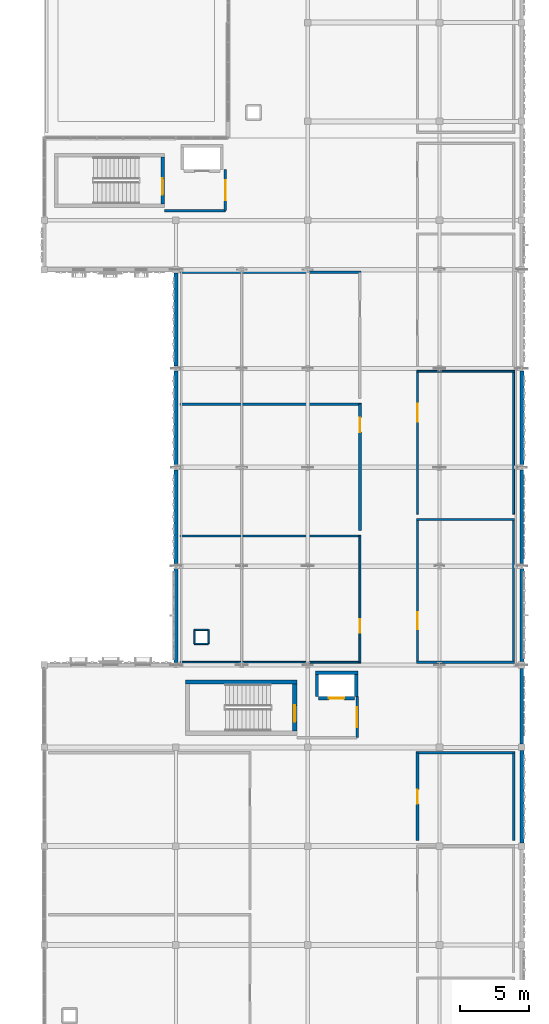
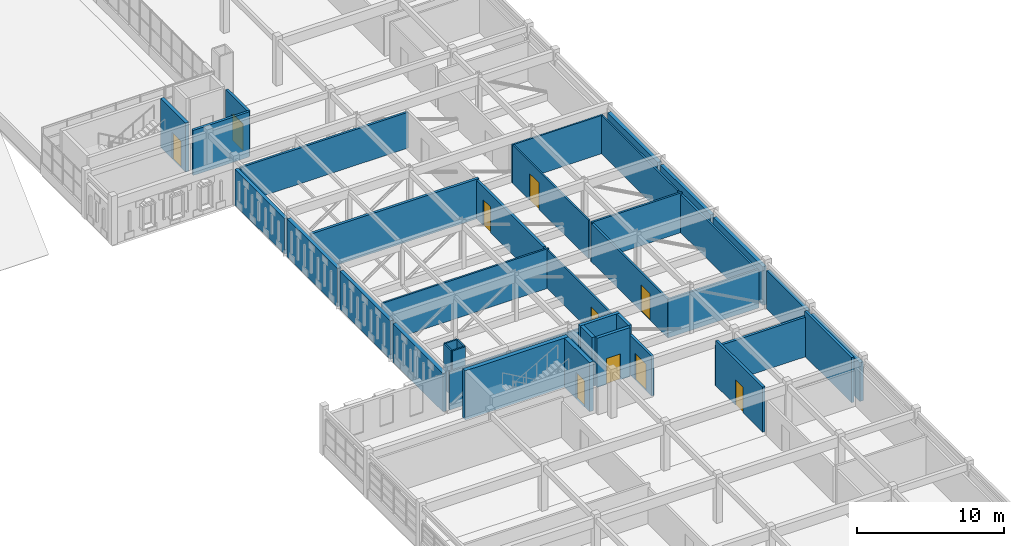
# One storey, part 52 of 79: 39 walls, 10 doors, 10 openings.
"""IFC4 building model written with IfcOpenShell, lengths in metres."""

import ifcopenshell
import ifcopenshell.guid

model = None  # the IFC model being written
_history = None  # IfcOwnerHistory: only IFC2X3 demands one
_inside = {}  # id of a spatial element -> (the spatial element, [elements in it])
_under = {}  # id of a project, library or spatial element -> (it, [spatial elements below it])
_declared = {}  # id of a project -> (the project, [libraries it declares])
_typed = {}  # id of a type object -> (the type object, [elements of that type])
_made_of = {}  # id of a material, layer set ... -> (it, [elements and type objects made of it])


def new_model(schema):
    """Start an empty IFC model of exactly this schema.

    Asked for "IFC4X3", IfcOpenShell would pick the latest addendum, in which some entities
    have other attributes; the version numbers below select the first issue.
    IFC2X3 requires an IfcOwnerHistory on every rooted entity: one is made here for all.
    """
    global model, _history
    if schema == "IFC4X3":
        model = ifcopenshell.file(schema_version=(4, 3, 0, 0))
    else:
        model = ifcopenshell.file(schema=schema)
    _inside.clear()
    _under.clear()
    _declared.clear()
    _typed.clear()
    _made_of.clear()
    _history = None
    if model.schema == "IFC2X3":
        org = make("IfcOrganization", Name="unknown")
        user = make(
            "IfcPersonAndOrganization",
            ThePerson=make("IfcPerson", FamilyName="unknown"),
            TheOrganization=org,
        )
        app = make(
            "IfcApplication",
            ApplicationDeveloper=org,
            Version="unknown",
            ApplicationFullName="unknown",
            ApplicationIdentifier="unknown",
        )
        _history = make(
            "IfcOwnerHistory",
            OwningUser=user,
            OwningApplication=app,
            ChangeAction="ADDED",
            CreationDate=0,
        )
    return model


def make(cls, **values):
    """One entity of the class cls with the attributes given. An attribute that is None is left unset."""
    return model.create_entity(
        cls, **{name: value for name, value in values.items() if value is not None}
    )


def rooted(cls, **values):
    """An entity with a GlobalId (a new one), such as an element, a storey or a relation."""
    return make(cls, GlobalId=ifcopenshell.guid.new(), OwnerHistory=_history, **values)


def si_unit(unit_type, name, prefix=None):
    """IfcSIUnit, for example si_unit("LENGTHUNIT", "METRE", prefix="MILLI")."""
    return make("IfcSIUnit", UnitType=unit_type, Prefix=prefix, Name=name)


def assignment(units):
    """IfcUnitAssignment: the units of a project."""
    return None if units is None else make("IfcUnitAssignment", Units=units)


def point(xyz):
    """IfcCartesianPoint."""
    return None if xyz is None else make("IfcCartesianPoint", Coordinates=xyz)


def direction(xyz):
    """IfcDirection."""
    return None if xyz is None else make("IfcDirection", DirectionRatios=xyz)


def frame(location, z_axis=None, x_axis=None):
    """IfcAxis2Placement3D, a coordinate frame: its origin and axes. An axis left out is left unset."""
    return make(
        "IfcAxis2Placement3D",
        Location=point(location),
        Axis=direction(z_axis),
        RefDirection=direction(x_axis),
    )


def frame_2d(location, x_axis=None):
    """IfcAxis2Placement2D, a coordinate frame in the plane: its origin and x axis."""
    return make(
        "IfcAxis2Placement2D", Location=point(location), RefDirection=direction(x_axis)
    )


def origin():
    """The frame at (0, 0, 0) with its axes left unset."""
    return frame((0.0, 0.0, 0.0))


def place(relative_to, where):
    """IfcLocalPlacement: puts the frame where relative to a parent placement (None: the world)."""
    return make(
        "IfcLocalPlacement", PlacementRelTo=relative_to, RelativePlacement=where
    )


def context(
    kind, dimensions, precision=None, world=None, true_north=None, identifier=None
):
    """IfcGeometricRepresentationContext, for example the 3D "Model" context."""
    return make(
        "IfcGeometricRepresentationContext",
        ContextIdentifier=identifier,
        ContextType=kind,
        CoordinateSpaceDimension=dimensions,
        Precision=precision,
        WorldCoordinateSystem=world,
        TrueNorth=true_north,
    )


def subcontext(parent, identifier, kind, view, scale=None):
    """IfcGeometricRepresentationSubContext, for example "Body" below "Model"."""
    return make(
        "IfcGeometricRepresentationSubContext",
        ContextIdentifier=identifier,
        ContextType=kind,
        ParentContext=parent,
        TargetScale=scale,
        TargetView=view,
    )


def project(units=None, contexts=None):
    """IfcProject with its units and contexts."""
    return rooted(
        "IfcProject",
        Name="project",
        RepresentationContexts=contexts,
        UnitsInContext=assignment(units),
    )


def spatial(cls, under=None, at=None, **own):
    """A site, building, storey or space (cls), placed at a placement, below another one or the project."""
    s = rooted(cls, ObjectPlacement=at, **own)
    if under is not None:
        _under.setdefault(under.id(), (under, []))[1].append(s)
    return s


def profile(cls, at=None, kind="AREA", **sizes):
    """A parametric profile (cls). Its sizes go by their IFC names, for example OverallWidth=200.0."""
    return make(cls, ProfileType=kind, Position=at, **sizes)


def rectangle(**sizes):
    """IfcRectangleProfileDef."""
    return profile("IfcRectangleProfileDef", **sizes)


def extrude(swept, where, along, depth):
    """IfcExtrudedAreaSolid: the profile swept, set in the frame where, extruded along a direction by depth."""
    return make(
        "IfcExtrudedAreaSolid",
        SweptArea=swept,
        Position=where,
        ExtrudedDirection=direction(along),
        Depth=depth,
    )


def shape(context_of_items, identifier, shape_type, items):
    """IfcShapeRepresentation: the items that make up one representation, for example the "Body"."""
    return make(
        "IfcShapeRepresentation",
        ContextOfItems=context_of_items,
        RepresentationIdentifier=identifier,
        RepresentationType=shape_type,
        Items=items,
    )


def material(Name=None, Category=None):
    """IfcMaterial."""
    return make("IfcMaterial", Name=Name, Category=Category)


def layer(
    of_material, thickness, ventilated=None, Name=None, Category=None, Priority=None
):
    """IfcMaterialLayer: one layer of a wall or slab, of a material (None: an air gap)."""
    return make(
        "IfcMaterialLayer",
        Material=of_material,
        LayerThickness=thickness,
        IsVentilated=ventilated,
        Name=Name,
        Category=Category,
        Priority=Priority,
    )


def layer_set(layers, Name=None):
    """IfcMaterialLayerSet."""
    return make("IfcMaterialLayerSet", MaterialLayers=layers, LayerSetName=Name)


def made_of(thing, what):
    """Note that an element or type object is made of a material, layer set ...; save() writes the relation."""
    if what is not None:
        _made_of.setdefault(what.id(), (what, []))[1].append(thing)
    return thing


def type_object(cls, material=None, **own):
    """A type object (cls), such as IfcWallType, which elements share."""
    return made_of(rooted(cls, **own), material)


def element(
    cls,
    number,
    at=None,
    inside=None,
    cuts=None,
    type_object=None,
    material=None,
    context=None,
    identifier="Body",
    shape_type=None,
    held_by="IfcProductDefinitionShape",
    body=None,
    shapes=None,
    **own,
):
    """One element of the class cls, such as IfcWall. Its Tag is "e" and its number.

    at: its placement. inside: the storey or other place that contains it. cuts: it is an
    opening in that element (IfcRelVoidsElement). A single representation is given by context,
    identifier, shape_type and body (its items); several are given by shapes. held_by: the class
    of the entity that holds the representations. save() writes the other relations.
    """
    e = rooted(cls, Tag="e%d" % number, ObjectPlacement=at, **own)
    if body is not None:
        shapes = [shape(context, identifier, shape_type, body)]
    if shapes is not None:
        e.Representation = make(held_by, Representations=shapes)
    if inside is not None:
        _inside.setdefault(inside.id(), (inside, []))[1].append(e)
    if cuts is not None:
        rooted(
            "IfcRelVoidsElement", RelatingBuildingElement=cuts, RelatedOpeningElement=e
        )
    if type_object is not None:
        _typed.setdefault(type_object.id(), (type_object, []))[1].append(e)
    return made_of(e, material)


def fill(opening, filler):
    """IfcRelFillsElement: the door or window that sits in an opening."""
    return rooted(
        "IfcRelFillsElement",
        RelatingOpeningElement=opening,
        RelatedBuildingElement=filler,
    )


def aggregate(whole, parts):
    """IfcRelAggregates: a whole, such as a stair, and the parts it consists of."""
    return rooted("IfcRelAggregates", RelatingObject=whole, RelatedObjects=parts)


def save(model, path):
    """Write the relations noted so far, then the file.

    IfcRelAggregates (storeys below a building ...), IfcRelContainedInSpatialStructure (elements
    in a storey), IfcRelDefinesByType, IfcRelAssociatesMaterial and IfcRelDeclares: one each for
    every whole, place, type object, material and project.
    """
    for whole, parts in _under.values():
        aggregate(whole, parts)
    for where, things in _inside.values():
        rooted(
            "IfcRelContainedInSpatialStructure",
            RelatedElements=things,
            RelatingStructure=where,
        )
    for kind, things in _typed.values():
        rooted("IfcRelDefinesByType", RelatedObjects=things, RelatingType=kind)
    for what, things in _made_of.values():
        rooted("IfcRelAssociatesMaterial", RelatedObjects=things, RelatingMaterial=what)
    for by, libraries in _declared.values():
        rooted("IfcRelDeclares", RelatingContext=by, RelatedDefinitions=libraries)
    model.write(path)


model = new_model("IFC4")

# Units and contexts
model_context = context("Model", 3, precision=1e-05, world=origin(), true_north=direction((0.0, 1.0)))
body_context = subcontext(model_context, "Body", "Model", "MODEL_VIEW")
ifc_project = project(units=[si_unit("LENGTHUNIT", "METRE"), si_unit("AREAUNIT", "SQUARE_METRE"), si_unit("VOLUMEUNIT", "CUBIC_METRE"), si_unit("PLANEANGLEUNIT", "RADIAN"), si_unit("MASSUNIT", "GRAM", prefix="KILO")], contexts=[model_context])

# Site, building, storey
site_placement = place(None, origin())
site = spatial("IfcSite", under=ifc_project, at=site_placement, CompositionType="ELEMENT")
building_placement = place(site_placement, origin())
building = spatial("IfcBuilding", under=site, at=building_placement, Name="Nzembalo Square Collegiate School", CompositionType="ELEMENT")
storey_placement = place(building_placement, frame((0.0, 0.0, 9.52001953125)))
storey = spatial("IfcBuildingStorey", under=building, at=storey_placement, Name="L02", CompositionType="ELEMENT", Elevation=9.52001953125)

# Wall
ifc_material_1 = material(Name="Concrete C40/50", Category="concrete")
ifc_layer_1 = layer(ifc_material_1, 0.320068359375, Name="Concrete C40/50")
ifc_layer_set_1 = layer_set([ifc_layer_1], Name="Concrete C40/50")
wall_type_1 = type_object("IfcWallType", Name="SW01", PredefinedType="SHEAR", material=ifc_layer_set_1)
wall_1_placement = place(storey_placement, frame((141.080078125, 49.159912109375, 0.0), z_axis=(0.0, 0.0, 1.0), x_axis=(1.0, 0.0, 0.0)))
element("IfcWall", 1, at=wall_1_placement, inside=storey, type_object=wall_type_1, Name="Core C5 stair shear wall N L02", PredefinedType="SHEAR", context=body_context, shape_type="SweptSolid", body=[
    extrude(rectangle(XDim=8.139892578125, YDim=0.320068359375, at=frame_2d((4.06982421875, 0.0))), origin(), (0.0, 0.0, 1.0), 4.080078125),
])

# Wall, opening, door
wall_2_placement = place(storey_placement, frame((149.06005859375, 45.60009765625, 0.0), z_axis=(0.0, 0.0, 1.0), x_axis=(0.0, 1.0, 0.0)))
wall_2 = element("IfcWall", 2, at=wall_2_placement, inside=storey, type_object=wall_type_1, Name="Core C5 stair shear wall E L02", PredefinedType="SHEAR", context=body_context, shape_type="SweptSolid", body=[
    extrude(rectangle(XDim=3.39990234375, YDim=0.320068359375, at=frame_2d((1.699951171875, 0.0))), origin(), (0.0, 0.0, 1.0), 4.080078125),
])
opening_1_placement = place(wall_2_placement, frame((0.64990234375, 0.0, 0.0)))
opening_1 = element("IfcOpeningElement", 3, at=opening_1_placement, cuts=wall_2, Name="Opening FD-050", PredefinedType="OPENING", context=body_context, shape_type="SweptSolid", body=[
    extrude(rectangle(XDim=1.199951171875, YDim=2.199951171875, at=frame_2d((0.60009765625, 1.10009765625))), frame((0.0, 0.169921875, 0.0), z_axis=(0.0, -1.0, 0.0), x_axis=(1.0, 0.0, 0.0)), (0.0, 0.0, 1.0), 0.340087890625),
])
ifc_material_2 = material(Name="Fire-rated steel acoustic door", Category="steel")
door_type_1 = type_object("IfcDoorType", Name="FD01", OperationType="NOTDEFINED", PredefinedType="DOOR", material=ifc_material_2)
door_1_placement = place(opening_1_placement, origin())
door_1 = element("IfcDoor", 4, at=door_1_placement, inside=storey, type_object=door_type_1, Name="Stair fire door FD-050", OperationType="SINGLE_SWING_RIGHT", OverallHeight=2.199951171875, OverallWidth=1.199951171875, PredefinedType="DOOR", context=body_context, shape_type="SweptSolid", body=[
    extrude(rectangle(XDim=1.199951171875, YDim=2.199951171875, at=frame_2d((0.60009765625, 1.10009765625))), frame((0.0, 0.02490234375, 0.0), z_axis=(0.0, -1.0, 0.0), x_axis=(1.0, 0.0, 0.0)), (0.0, 0.0, 1.0), 0.050048828125),
])
fill(opening_1, door_1)

ifc_material_3 = material(Name="Concrete C35/45", Category="concrete")
ifc_layer_2 = layer(ifc_material_3, 0.260009765625, Name="Concrete C35/45")
ifc_layer_set_2 = layer_set([ifc_layer_2], Name="Concrete C35/45")
wall_type_2 = type_object("IfcWallType", Name="SW04", PredefinedType="SHEAR", material=ifc_layer_set_2)
wall_3_placement = place(storey_placement, frame((139.429931640625, 84.0, 0.0), z_axis=(0.0, 0.0, 1.0), x_axis=(0.0, 1.0, 0.0)))
wall_3 = element("IfcWall", 5, at=wall_3_placement, inside=storey, type_object=wall_type_2, Name="Core C4 stair shear wall E L02", PredefinedType="SHEAR", context=body_context, shape_type="SweptSolid", body=[
    extrude(rectangle(XDim=3.39990234375, YDim=0.260009765625, at=frame_2d((1.699951171875, 0.0))), origin(), (0.0, 0.0, 1.0), 4.080078125),
])
opening_2_placement = place(wall_3_placement, frame((0.64990234375, 0.0, 0.0)))
opening_2 = element("IfcOpeningElement", 6, at=opening_2_placement, cuts=wall_3, Name="Opening FD-036", PredefinedType="OPENING", context=body_context, shape_type="SweptSolid", body=[
    extrude(rectangle(XDim=1.199951171875, YDim=2.199951171875, at=frame_2d((0.60009765625, 1.10009765625))), frame((0.0, 0.14013671875, 0.0), z_axis=(0.0, -1.0, 0.0), x_axis=(1.0, 0.0, 0.0)), (0.0, 0.0, 1.0), 0.280029296875),
])
door_2_placement = place(opening_2_placement, origin())
door_2 = element("IfcDoor", 7, at=door_2_placement, inside=storey, type_object=door_type_1, Name="Stair fire door FD-036", OperationType="SINGLE_SWING_RIGHT", OverallHeight=2.199951171875, OverallWidth=1.199951171875, PredefinedType="DOOR", context=body_context, shape_type="SweptSolid", body=[
    extrude(rectangle(XDim=1.199951171875, YDim=2.199951171875, at=frame_2d((0.60009765625, 1.10009765625))), frame((0.0, 0.02490234375, 0.0), z_axis=(0.0, -1.0, 0.0), x_axis=(1.0, 0.0, 0.0)), (0.0, 0.0, 1.0), 0.050048828125),
])
fill(opening_2, door_2)

# Walls
ifc_material_4 = material(Name="Concrete C35/45", Category="concrete")
ifc_layer_3 = layer(ifc_material_4, 0.25, Name="Concrete C35/45")
ifc_layer_set_3 = layer_set([ifc_layer_3], Name="Concrete C35/45")
wall_type_3 = type_object("IfcWallType", Name="SW05", PredefinedType="SHEAR", material=ifc_layer_set_3)
for number, where, z_axis, x_axis, name in (
    (8, (150.675048828125, 48.10009765625, 0.0), (0.0, 0.0, 1.0), (0.0, 1.0, 0.0), "Lift LF4 shaft wall W L02"),
    (9, (153.52490234375, 48.10009765625, 0.0), (0.0, 0.0, 1.0), (0.0, 1.0, 0.0), "Lift LF4 shaft wall E L02"),
):
    element("IfcWall", number, at=place(storey_placement, frame(where, z_axis=z_axis, x_axis=x_axis)), inside=storey, type_object=wall_type_3, Name=name, PredefinedType="SHEAR", context=body_context, shape_type="SweptSolid", body=[
        extrude(rectangle(XDim=1.599853515625, YDim=0.25, at=frame_2d((0.7998046875, 0.0))), origin(), (0.0, 0.0, 1.0), 4.080078125),
    ])
wall_4_placement = place(storey_placement, frame((150.550048828125, 49.824951171875, 0.0), z_axis=(0.0, 0.0, 1.0), x_axis=(1.0, 0.0, 0.0)))
element("IfcWall", 10, at=wall_4_placement, inside=storey, type_object=wall_type_3, Name="Lift LF4 shaft wall N L02", PredefinedType="SHEAR", context=body_context, shape_type="SweptSolid", body=[
    extrude(rectangle(XDim=3.099853515625, YDim=0.25, at=frame_2d((1.5498046875, 0.0))), origin(), (0.0, 0.0, 1.0), 4.080078125),
])

# Wall, opening, door
wall_5_placement = place(storey_placement, frame((150.800048828125, 47.97509765625, 0.0), z_axis=(0.0, 0.0, 1.0), x_axis=(1.0, 0.0, 0.0)))
wall_5 = element("IfcWall", 11, at=wall_5_placement, inside=storey, type_object=wall_type_3, Name="Lift LF4 landing front wall L02", PredefinedType="SHEAR", context=body_context, shape_type="SweptSolid", body=[
    extrude(rectangle(XDim=2.599853515625, YDim=0.25, at=frame_2d((1.2998046875, 0.0))), origin(), (0.0, 0.0, 1.0), 4.080078125),
])
opening_3_placement = place(wall_5_placement, frame((0.75, 0.0, 0.0)))
opening_3 = element("IfcOpeningElement", 12, at=opening_3_placement, cuts=wall_5, Name="Opening LD-LF4-L02", PredefinedType="OPENING", context=body_context, shape_type="SweptSolid", body=[
    extrude(rectangle(XDim=1.10009765625, YDim=2.14990234375, at=frame_2d((0.550048828125, 1.074951171875))), frame((0.0, 0.135009765625, 0.0), z_axis=(0.0, -1.0, 0.0), x_axis=(1.0, 0.0, 0.0)), (0.0, 0.0, 1.0), 0.27001953125),
])
ifc_material_5 = material(Name="Stainless-steel sliding landing door", Category="steel")
door_type_2 = type_object("IfcDoorType", Name="LD01", OperationType="DOUBLE_DOOR_SLIDING", PredefinedType="DOOR", material=ifc_material_5)
door_3_placement = place(opening_3_placement, origin())
door_3 = element("IfcDoor", 13, at=door_3_placement, inside=storey, type_object=door_type_2, Name="Sliding lift landing door LD-LF4-L02", OperationType="DOUBLE_DOOR_SLIDING", OverallHeight=2.14990234375, OverallWidth=1.10009765625, PredefinedType="DOOR", context=body_context, shape_type="SweptSolid", body=[
    extrude(rectangle(XDim=1.10009765625, YDim=2.14990234375, at=frame_2d((0.550048828125, 1.074951171875))), frame((0.0, 0.02490234375, 0.0), z_axis=(0.0, -1.0, 0.0), x_axis=(1.0, 0.0, 0.0)), (0.0, 0.0, 1.0), 0.050048828125),
])
fill(opening_3, door_3)

# Walls
ifc_material_6 = material(Name="Concrete C30/37", Category="concrete")
ifc_layer_4 = layer(ifc_material_6, 0.284912109375, Name="Concrete C30/37")
ifc_layer_set_4 = layer_set([ifc_layer_4], Name="Concrete C30/37")
wall_type_4 = type_object("IfcWallType", Name="W05", PredefinedType="SOLIDWALL", material=ifc_layer_set_4)
wall_6_placement = place(storey_placement, frame((140.39990234375, 50.576904296875, 0.0), z_axis=(0.0, 0.0, 1.0), x_axis=(0.0, 1.0, 0.0)))
element("IfcWall", 14, at=wall_6_placement, inside=storey, type_object=wall_type_4, Name="Exterior wall W05 L02", PredefinedType="SOLIDWALL", context=body_context, shape_type="SweptSolid", body=[
    extrude(rectangle(XDim=6.84619140625, YDim=0.284912109375, at=frame_2d((3.423095703125, 0.0))), origin(), (0.0, 0.0, 1.0), 3.194091796875),
])
wall_7_placement = place(storey_placement, frame((140.39990234375, 64.97705078125, 0.0), z_axis=(0.0, 0.0, 1.0), x_axis=(0.0, 1.0, 0.0)))
element("IfcWall", 15, at=wall_7_placement, inside=storey, type_object=wall_type_4, Name="Exterior wall W05 L02", PredefinedType="SOLIDWALL", context=body_context, shape_type="SweptSolid", body=[
    extrude(rectangle(XDim=6.845947265625, YDim=0.284912109375, at=frame_2d((3.4228515625, 0.0))), origin(), (0.0, 0.0, 1.0), 3.194091796875),
])
wall_8_placement = place(storey_placement, frame((165.60009765625, 37.44189453125, 0.0), z_axis=(0.0, 0.0, 1.0), x_axis=(0.0, 1.0, 0.0)))
element("IfcWall", 16, at=wall_8_placement, inside=storey, type_object=wall_type_4, Name="Exterior wall W05 L02", PredefinedType="SOLIDWALL", context=body_context, shape_type="SweptSolid", body=[
    extrude(rectangle(XDim=6.716064453125, YDim=0.284912109375, at=frame_2d((3.35791015625, 0.0))), origin(), (0.0, 0.0, 1.0), 3.218994140625),
])
wall_9_placement = place(storey_placement, frame((165.60009765625, 50.64208984375, 0.0), z_axis=(0.0, 0.0, 1.0), x_axis=(0.0, 1.0, 0.0)))
element("IfcWall", 17, at=wall_9_placement, inside=storey, type_object=wall_type_4, Name="Exterior wall W05 L02", PredefinedType="SOLIDWALL", context=body_context, shape_type="SweptSolid", body=[
    extrude(rectangle(XDim=6.781005859375, YDim=0.284912109375, at=frame_2d((3.390625, 0.0))), origin(), (0.0, 0.0, 1.0), 3.194091796875),
])
wall_10_placement = place(storey_placement, frame((165.60009765625, 64.97705078125, 0.0), z_axis=(0.0, 0.0, 1.0), x_axis=(0.0, 1.0, 0.0)))
element("IfcWall", 18, at=wall_10_placement, inside=storey, type_object=wall_type_4, Name="Exterior wall W05 L02", PredefinedType="SOLIDWALL", context=body_context, shape_type="SweptSolid", body=[
    extrude(rectangle(XDim=6.845947265625, YDim=0.284912109375, at=frame_2d((3.4228515625, 0.0))), origin(), (0.0, 0.0, 1.0), 3.194091796875),
])
ifc_material_7 = material(Name="Concrete C30/37", Category="concrete")
ifc_layer_5 = layer(ifc_material_7, 0.264892578125, Name="Concrete C30/37")
ifc_layer_set_5 = layer_set([ifc_layer_5], Name="Concrete C30/37")
wall_type_5 = type_object("IfcWallType", Name="W06", PredefinedType="SOLIDWALL", material=ifc_layer_set_5)
wall_11_placement = place(storey_placement, frame((140.39990234375, 57.777099609375, 0.0), z_axis=(0.0, 0.0, 1.0), x_axis=(0.0, 1.0, 0.0)))
element("IfcWall", 19, at=wall_11_placement, inside=storey, type_object=wall_type_5, Name="Exterior wall W06 L02", PredefinedType="SOLIDWALL", context=body_context, shape_type="SweptSolid", body=[
    extrude(rectangle(XDim=6.845947265625, YDim=0.264892578125, at=frame_2d((3.4228515625, 0.0))), origin(), (0.0, 0.0, 1.0), 3.194091796875),
])
wall_12_placement = place(storey_placement, frame((140.39990234375, 72.177001953125, 0.0), z_axis=(0.0, 0.0, 1.0), x_axis=(0.0, 1.0, 0.0)))
element("IfcWall", 20, at=wall_12_placement, inside=storey, type_object=wall_type_5, Name="Exterior wall W06 L02", PredefinedType="SOLIDWALL", context=body_context, shape_type="SweptSolid", body=[
    extrude(rectangle(XDim=6.781005859375, YDim=0.264892578125, at=frame_2d((3.390625, 0.0))), origin(), (0.0, 0.0, 1.0), 2.97900390625),
])
wall_13_placement = place(storey_placement, frame((165.60009765625, 44.64208984375, 0.0), z_axis=(0.0, 0.0, 1.0), x_axis=(0.0, 1.0, 0.0)))
element("IfcWall", 21, at=wall_13_placement, inside=storey, type_object=wall_type_5, Name="Exterior wall W06 L02", PredefinedType="SOLIDWALL", context=body_context, shape_type="SweptSolid", body=[
    extrude(rectangle(XDim=5.515869140625, YDim=0.264892578125, at=frame_2d((2.7578125, 0.0))), origin(), (0.0, 0.0, 1.0), 3.194091796875),
])
wall_14_placement = place(storey_placement, frame((165.60009765625, 57.777099609375, 0.0), z_axis=(0.0, 0.0, 1.0), x_axis=(0.0, 1.0, 0.0)))
element("IfcWall", 22, at=wall_14_placement, inside=storey, type_object=wall_type_5, Name="Exterior wall W06 L02", PredefinedType="SOLIDWALL", context=body_context, shape_type="SweptSolid", body=[
    extrude(rectangle(XDim=6.845947265625, YDim=0.264892578125, at=frame_2d((3.4228515625, 0.0))), origin(), (0.0, 0.0, 1.0), 3.194091796875),
])

# Wall, opening, door
ifc_material_8 = material(Name="Concrete blockwork C25/30", Category="masonry")
ifc_layer_6 = layer(ifc_material_8, 0.199951171875, Name="Concrete blockwork C25/30")
ifc_layer_set_6 = layer_set([ifc_layer_6], Name="Concrete blockwork C25/30")
wall_type_6 = type_object("IfcWallType", Name="W11", PredefinedType="PARTITIONING", material=ifc_layer_set_6)
wall_15_placement = place(storey_placement, frame((144.0, 83.5, 0.0), z_axis=(0.0, 0.0, 1.0), x_axis=(0.0, 1.0, 0.0)))
wall_15 = element("IfcWall", 23, at=wall_15_placement, inside=storey, type_object=wall_type_6, Name="Core C4 EI 60 lobby wall E L02", PredefinedType="PARTITIONING", context=body_context, shape_type="SweptSolid", body=[
    extrude(rectangle(XDim=3.0, YDim=0.199951171875, at=frame_2d((1.5, 0.0))), origin(), (0.0, 0.0, 1.0), 3.75390625),
])
opening_4_placement = place(wall_15_placement, frame((0.77490234375, 0.0, 0.0)))
opening_4 = element("IfcOpeningElement", 24, at=opening_4_placement, cuts=wall_15, Name="Opening FD-037", PredefinedType="OPENING", context=body_context, shape_type="SweptSolid", body=[
    extrude(rectangle(XDim=1.449951171875, YDim=2.199951171875, at=frame_2d((0.72509765625, 1.10009765625))), frame((0.0, 0.10986328125, 0.0), z_axis=(0.0, -1.0, 0.0), x_axis=(1.0, 0.0, 0.0)), (0.0, 0.0, 1.0), 0.219970703125),
])
ifc_material_9 = material(Name="Fire-rated double lobby door")
door_type_3 = type_object("IfcDoorType", Name="FD02", OperationType="DOUBLE_DOOR_SINGLE_SWING", PredefinedType="DOOR", material=ifc_material_9)
door_4_placement = place(opening_4_placement, frame((1.449951171875, 0.0, 0.0), z_axis=(0.0, 0.0, 1.0), x_axis=(-1.0, 0.0, 0.0)))
door_4 = element("IfcDoor", 25, at=door_4_placement, inside=storey, type_object=door_type_3, Name="Protected lobby fire door FD-037", OperationType="DOUBLE_DOOR_SINGLE_SWING", OverallHeight=2.199951171875, OverallWidth=1.449951171875, PredefinedType="DOOR", context=body_context, shape_type="SweptSolid", body=[
    extrude(rectangle(XDim=1.449951171875, YDim=2.199951171875, at=frame_2d((0.72509765625, 1.10009765625))), frame((0.0, 0.02490234375, 0.0), z_axis=(0.0, -1.0, 0.0), x_axis=(1.0, 0.0, 0.0)), (0.0, 0.0, 1.0), 0.050048828125),
])
fill(opening_4, door_4)

# Wall
wall_16_placement = place(storey_placement, frame((139.56005859375, 83.5, 0.0), z_axis=(0.0, 0.0, 1.0), x_axis=(1.0, 0.0, 0.0)))
element("IfcWall", 26, at=wall_16_placement, inside=storey, type_object=wall_type_6, Name="Core C4 EI 60 lobby wall S L02", PredefinedType="PARTITIONING", context=body_context, shape_type="SweptSolid", body=[
    extrude(rectangle(XDim=4.43994140625, YDim=0.199951171875, at=frame_2d((2.219970703125, 0.0))), origin(), (0.0, 0.0, 1.0), 3.75390625),
])

# Wall, opening, door
wall_17_placement = place(storey_placement, frame((153.60009765625, 45.10009765625, 0.0), z_axis=(0.0, 0.0, 1.0), x_axis=(0.0, 1.0, 0.0)))
wall_17 = element("IfcWall", 27, at=wall_17_placement, inside=storey, type_object=wall_type_6, Name="Core C5 EI 60 lobby wall E L02", PredefinedType="PARTITIONING", context=body_context, shape_type="SweptSolid", body=[
    extrude(rectangle(XDim=3.0, YDim=0.199951171875, at=frame_2d((1.5, 0.0))), origin(), (0.0, 0.0, 1.0), 3.299072265625),
])
opening_5_placement = place(wall_17_placement, frame((0.77490234375, 0.0, 0.0)))
opening_5 = element("IfcOpeningElement", 28, at=opening_5_placement, cuts=wall_17, Name="Opening FD-051", PredefinedType="OPENING", context=body_context, shape_type="SweptSolid", body=[
    extrude(rectangle(XDim=1.449951171875, YDim=2.199951171875, at=frame_2d((0.72509765625, 1.10009765625))), frame((0.0, 0.10986328125, 0.0), z_axis=(0.0, -1.0, 0.0), x_axis=(1.0, 0.0, 0.0)), (0.0, 0.0, 1.0), 0.219970703125),
])
door_5_placement = place(opening_5_placement, frame((1.449951171875, 0.0, 0.0), z_axis=(0.0, 0.0, 1.0), x_axis=(-1.0, 0.0, 0.0)))
door_5 = element("IfcDoor", 29, at=door_5_placement, inside=storey, type_object=door_type_3, Name="Protected lobby fire door FD-051", OperationType="DOUBLE_DOOR_SINGLE_SWING", OverallHeight=2.199951171875, OverallWidth=1.449951171875, PredefinedType="DOOR", context=body_context, shape_type="SweptSolid", body=[
    extrude(rectangle(XDim=1.449951171875, YDim=2.199951171875, at=frame_2d((0.72509765625, 1.10009765625))), frame((0.0, 0.02490234375, 0.0), z_axis=(0.0, -1.0, 0.0), x_axis=(1.0, 0.0, 0.0)), (0.0, 0.0, 1.0), 0.050048828125),
])
fill(opening_5, door_5)

# Wall
ifc_material_10 = material(Name="Concrete blockwork C25/30", Category="masonry")
ifc_layer_7 = layer(ifc_material_10, 0.195068359375, Name="Concrete blockwork C25/30")
ifc_layer_set_7 = layer_set([ifc_layer_7], Name="Concrete blockwork C25/30")
wall_type_7 = type_object("IfcWallType", Name="W12", PredefinedType="PARTITIONING", material=ifc_layer_set_7)
wall_18_placement = place(storey_placement, frame((157.902587890625, 44.0, 0.0), z_axis=(0.0, 0.0, 1.0), x_axis=(1.0, 0.0, 0.0)))
element("IfcWall", 30, at=wall_18_placement, inside=storey, type_object=wall_type_7, Name="Interior partition W12 L02-046-N", PredefinedType="PARTITIONING", context=body_context, shape_type="SweptSolid", body=[
    extrude(rectangle(XDim=7.19482421875, YDim=0.195068359375, at=frame_2d((3.597412109375, 0.0))), origin(), (0.0, 0.0, 1.0), 3.299072265625),
])

# Wall, opening, door
wall_19_placement = place(storey_placement, frame((158.0, 37.60009765625, 0.0), z_axis=(0.0, 0.0, 1.0), x_axis=(0.0, 1.0, 0.0)))
wall_19 = element("IfcWall", 31, at=wall_19_placement, inside=storey, type_object=wall_type_7, Name="Interior partition W12 L02-046-W", PredefinedType="PARTITIONING", context=body_context, shape_type="SweptSolid", body=[
    extrude(rectangle(XDim=6.39990234375, YDim=0.195068359375, at=frame_2d((3.199951171875, 0.0))), origin(), (0.0, 0.0, 1.0), 3.75390625),
])
opening_6_placement = place(wall_19_placement, frame((2.675048828125, 0.0, 0.0)))
opening_6 = element("IfcOpeningElement", 32, at=opening_6_placement, cuts=wall_19, Name="Opening D-L02-073", PredefinedType="OPENING", context=body_context, shape_type="SweptSolid", body=[
    extrude(rectangle(XDim=1.050048828125, YDim=2.14990234375, at=frame_2d((0.52490234375, 1.074951171875))), frame((0.0, 0.107421875, 0.0), z_axis=(0.0, -1.0, 0.0), x_axis=(1.0, 0.0, 0.0)), (0.0, 0.0, 1.0), 0.215087890625),
])
ifc_material_11 = material(Name="Fire-rated steel store door", Category="steel")
door_type_4 = type_object("IfcDoorType", Name="FD03", OperationType="NOTDEFINED", PredefinedType="DOOR", material=ifc_material_11)
door_6_placement = place(opening_6_placement, origin())
door_6 = element("IfcDoor", 33, at=door_6_placement, inside=storey, type_object=door_type_4, Name="Interior door D-L02-073 (Ventilated Chemical Store L02)", OperationType="SINGLE_SWING_RIGHT", OverallHeight=2.14990234375, OverallWidth=1.050048828125, PredefinedType="DOOR", context=body_context, shape_type="SweptSolid", body=[
    extrude(rectangle(XDim=1.050048828125, YDim=2.14990234375, at=frame_2d((0.52490234375, 1.074951171875))), frame((0.0, 0.02490234375, 0.0), z_axis=(0.0, -1.0, 0.0), x_axis=(1.0, 0.0, 0.0)), (0.0, 0.0, 1.0), 0.050048828125),
])
fill(opening_6, door_6)

# Walls
wall_20_placement = place(storey_placement, frame((165.0, 37.60009765625, 0.0), z_axis=(0.0, 0.0, 1.0), x_axis=(0.0, 1.0, 0.0)))
element("IfcWall", 34, at=wall_20_placement, inside=storey, type_object=wall_type_7, Name="Interior partition W12 L02-046-E", PredefinedType="PARTITIONING", context=body_context, shape_type="SweptSolid", body=[
    extrude(rectangle(XDim=6.39990234375, YDim=0.195068359375, at=frame_2d((3.199951171875, 0.0))), origin(), (0.0, 0.0, 1.0), 3.75390625),
])
ifc_material_12 = material(Name="Acoustic gypsum and steel stud", Category="steel")
ifc_layer_8 = layer(ifc_material_12, 0.175048828125, Name="Acoustic gypsum and steel stud")
ifc_layer_set_8 = layer_set([ifc_layer_8], Name="Acoustic gypsum and steel stud")
wall_type_8 = type_object("IfcWallType", Name="W14", PredefinedType="PARTITIONING", material=ifc_layer_set_8)
wall_21_placement = place(storey_placement, frame((140.71240234375, 79.0, 0.0), z_axis=(0.0, 0.0, 1.0), x_axis=(1.0, 0.0, 0.0)))
element("IfcWall", 35, at=wall_21_placement, inside=storey, type_object=wall_type_8, Name="Interior partition W14 L02-035-N", PredefinedType="PARTITIONING", context=body_context, shape_type="SweptSolid", body=[
    extrude(rectangle(XDim=13.175048828125, YDim=0.175048828125, at=frame_2d((6.58740234375, 0.0))), origin(), (0.0, 0.0, 1.0), 2.97900390625),
])
ifc_material_13 = material(Name="Acoustic double-board stud")
ifc_layer_9 = layer(ifc_material_13, 0.155029296875, Name="Acoustic double-board stud")
ifc_layer_set_9 = layer_set([ifc_layer_9], Name="Acoustic double-board stud")
wall_type_9 = type_object("IfcWallType", Name="W16", PredefinedType="PARTITIONING", material=ifc_layer_set_9)
wall_22_placement = place(storey_placement, frame((157.922607421875, 50.60009765625, 0.0), z_axis=(0.0, 0.0, 1.0), x_axis=(1.0, 0.0, 0.0)))
element("IfcWall", 36, at=wall_22_placement, inside=storey, type_object=wall_type_9, Name="Interior partition W16 L02-036-S", PredefinedType="PARTITIONING", context=body_context, shape_type="SweptSolid", body=[
    extrude(rectangle(XDim=7.15478515625, YDim=0.155029296875, at=frame_2d((3.577392578125, 0.0))), origin(), (0.0, 0.0, 1.0), 3.194091796875),
])
wall_23_placement = place(storey_placement, frame((157.922607421875, 61.0, 0.0), z_axis=(0.0, 0.0, 1.0), x_axis=(1.0, 0.0, 0.0)))
element("IfcWall", 37, at=wall_23_placement, inside=storey, type_object=wall_type_9, Name="Interior partition W16 L02-036-N", PredefinedType="PARTITIONING", context=body_context, shape_type="SweptSolid", body=[
    extrude(rectangle(XDim=7.15478515625, YDim=0.155029296875, at=frame_2d((3.577392578125, 0.0))), origin(), (0.0, 0.0, 1.0), 3.299072265625),
])

# Wall, opening, door
wall_24_placement = place(storey_placement, frame((158.0, 50.60009765625, 0.0), z_axis=(0.0, 0.0, 1.0), x_axis=(0.0, 1.0, 0.0)))
wall_24 = element("IfcWall", 38, at=wall_24_placement, inside=storey, type_object=wall_type_9, Name="Interior partition W16 L02-036-W", PredefinedType="PARTITIONING", context=body_context, shape_type="SweptSolid", body=[
    extrude(rectangle(XDim=10.39990234375, YDim=0.155029296875, at=frame_2d((5.199951171875, 0.0))), origin(), (0.0, 0.0, 1.0), 3.194091796875),
])
opening_7_placement = place(wall_24_placement, frame((2.389892578125, 0.0, 0.0)))
opening_7 = element("IfcOpeningElement", 39, at=opening_7_placement, cuts=wall_24, Name="Opening D-L02-064", PredefinedType="OPENING", context=body_context, shape_type="SweptSolid", body=[
    extrude(rectangle(XDim=1.239990234375, YDim=2.199951171875, at=frame_2d((0.6201171875, 1.10009765625))), frame((0.0, 0.08740234375, 0.0), z_axis=(0.0, -1.0, 0.0), x_axis=(1.0, 0.0, 0.0)), (0.0, 0.0, 1.0), 0.175048828125),
])
ifc_material_14 = material(Name="Glazed seminar room door")
door_type_5 = type_object("IfcDoorType", Name="D14", OperationType="NOTDEFINED", PredefinedType="DOOR", material=ifc_material_14)
door_7_placement = place(opening_7_placement, origin())
door_7 = element("IfcDoor", 40, at=door_7_placement, inside=storey, type_object=door_type_5, Name="Interior door D-L02-064 (Lower-Secondary Classroom 2M)", OperationType="SINGLE_SWING_RIGHT", OverallHeight=2.199951171875, OverallWidth=1.239990234375, PredefinedType="DOOR", context=body_context, shape_type="SweptSolid", body=[
    extrude(rectangle(XDim=1.239990234375, YDim=2.199951171875, at=frame_2d((0.6201171875, 1.10009765625))), frame((0.0, 0.02490234375, 0.0), z_axis=(0.0, -1.0, 0.0), x_axis=(1.0, 0.0, 0.0)), (0.0, 0.0, 1.0), 0.050048828125),
])
fill(opening_7, door_7)

# Walls
wall_25_placement = place(storey_placement, frame((165.0, 50.60009765625, 0.0), z_axis=(0.0, 0.0, 1.0), x_axis=(0.0, 1.0, 0.0)))
element("IfcWall", 41, at=wall_25_placement, inside=storey, type_object=wall_type_9, Name="Interior partition W16 L02-036-E", PredefinedType="PARTITIONING", context=body_context, shape_type="SweptSolid", body=[
    extrude(rectangle(XDim=10.39990234375, YDim=0.155029296875, at=frame_2d((5.199951171875, 0.0))), origin(), (0.0, 0.0, 1.0), 3.194091796875),
])
ifc_material_15 = material(Name="Gypsum plasterboard stud")
ifc_layer_10 = layer(ifc_material_15, 0.139892578125, Name="Gypsum plasterboard stud")
ifc_layer_set_10 = layer_set([ifc_layer_10], Name="Gypsum plasterboard stud")
wall_type_10 = type_object("IfcWallType", Name="W18", PredefinedType="PARTITIONING", material=ifc_layer_set_10)
wall_26_placement = place(storey_placement, frame((140.72998046875, 50.60009765625, 0.0), z_axis=(0.0, 0.0, 1.0), x_axis=(1.0, 0.0, 0.0)))
element("IfcWall", 42, at=wall_26_placement, inside=storey, type_object=wall_type_10, Name="Interior partition W18 L02-033-S", PredefinedType="PARTITIONING", context=body_context, shape_type="SweptSolid", body=[
    extrude(rectangle(XDim=13.14013671875, YDim=0.139892578125, at=frame_2d((6.570068359375, 0.0))), origin(), (0.0, 0.0, 1.0), 3.194091796875),
])
wall_27_placement = place(storey_placement, frame((140.72998046875, 59.800048828125, 0.0), z_axis=(0.0, 0.0, 1.0), x_axis=(1.0, 0.0, 0.0)))
element("IfcWall", 43, at=wall_27_placement, inside=storey, type_object=wall_type_10, Name="Interior partition W18 L02-033-N", PredefinedType="PARTITIONING", context=body_context, shape_type="SweptSolid", body=[
    extrude(rectangle(XDim=13.14013671875, YDim=0.139892578125, at=frame_2d((6.570068359375, 0.0))), origin(), (0.0, 0.0, 1.0), 3.299072265625),
])

# Wall, opening, door
wall_28_placement = place(storey_placement, frame((153.800048828125, 50.60009765625, 0.0), z_axis=(0.0, 0.0, 1.0), x_axis=(0.0, 1.0, 0.0)))
wall_28 = element("IfcWall", 44, at=wall_28_placement, inside=storey, type_object=wall_type_10, Name="Interior partition W18 L02-033-E", PredefinedType="PARTITIONING", context=body_context, shape_type="SweptSolid", body=[
    extrude(rectangle(XDim=9.199951171875, YDim=0.139892578125, at=frame_2d((4.60009765625, 0.0))), origin(), (0.0, 0.0, 1.0), 3.194091796875),
])
opening_8_placement = place(wall_28_placement, frame((2.14990234375, 0.0, 0.0)))
opening_8 = element("IfcOpeningElement", 45, at=opening_8_placement, cuts=wall_28, Name="Opening D-L02-061", PredefinedType="OPENING", context=body_context, shape_type="SweptSolid", body=[
    extrude(rectangle(XDim=1.0, YDim=2.10009765625, at=frame_2d((0.5, 1.050048828125))), frame((0.0, 0.080078125, 0.0), z_axis=(0.0, -1.0, 0.0), x_axis=(1.0, 0.0, 0.0)), (0.0, 0.0, 1.0), 0.159912109375),
])
ifc_material_16 = material(Name="Solid-core hardwood classroom door", Category="wood")
door_type_6 = type_object("IfcDoorType", Name="D02", OperationType="NOTDEFINED", PredefinedType="DOOR", material=ifc_material_16)
door_8_placement = place(opening_8_placement, origin())
door_8 = element("IfcDoor", 46, at=door_8_placement, inside=storey, type_object=door_type_6, Name="Interior door D-L02-061 (Lower-Secondary Classroom 2J)", OperationType="SINGLE_SWING_LEFT", OverallHeight=2.10009765625, OverallWidth=1.0, PredefinedType="DOOR", context=body_context, shape_type="SweptSolid", body=[
    extrude(rectangle(XDim=1.0, YDim=2.10009765625, at=frame_2d((0.5, 1.050048828125))), frame((0.0, 0.02490234375, 0.0), z_axis=(0.0, -1.0, 0.0), x_axis=(1.0, 0.0, 0.0)), (0.0, 0.0, 1.0), 0.050048828125),
])
fill(opening_8, door_8)

# Wall
ifc_material_17 = material(Name="Gypsum plasterboard stud")
ifc_layer_11 = layer(ifc_material_17, 0.1298828125, Name="Gypsum plasterboard stud")
ifc_layer_set_11 = layer_set([ifc_layer_11], Name="Gypsum plasterboard stud")
wall_type_11 = type_object("IfcWallType", Name="W20", PredefinedType="PARTITIONING", material=ifc_layer_set_11)
wall_29_placement = place(storey_placement, frame((157.93505859375, 71.800048828125, 0.0), z_axis=(0.0, 0.0, 1.0), x_axis=(1.0, 0.0, 0.0)))
element("IfcWall", 47, at=wall_29_placement, inside=storey, type_object=wall_type_11, Name="Interior partition W20 L02-037-N", PredefinedType="PARTITIONING", context=body_context, shape_type="SweptSolid", body=[
    extrude(rectangle(XDim=7.1298828125, YDim=0.1298828125, at=frame_2d((3.56494140625, 0.0))), origin(), (0.0, 0.0, 1.0), 3.194091796875),
])

# Wall, opening, door
wall_30_placement = place(storey_placement, frame((158.0, 61.39990234375, 0.0), z_axis=(0.0, 0.0, 1.0), x_axis=(0.0, 1.0, 0.0)))
wall_30 = element("IfcWall", 48, at=wall_30_placement, inside=storey, type_object=wall_type_11, Name="Interior partition W20 L02-037-W", PredefinedType="PARTITIONING", context=body_context, shape_type="SweptSolid", body=[
    extrude(rectangle(XDim=10.400146484375, YDim=0.1298828125, at=frame_2d((5.2001953125, 0.0))), origin(), (0.0, 0.0, 1.0), 3.194091796875),
])
opening_9_placement = place(wall_30_placement, frame((6.7099609375, 0.0, 0.0)))
opening_9 = element("IfcOpeningElement", 49, at=opening_9_placement, cuts=wall_30, Name="Opening D-L02-065", PredefinedType="OPENING", context=body_context, shape_type="SweptSolid", body=[
    extrude(rectangle(XDim=1.320068359375, YDim=2.219970703125, at=frame_2d((0.66015625, 1.10986328125))), frame((0.0, 0.074951171875, 0.0), z_axis=(0.0, -1.0, 0.0), x_axis=(1.0, 0.0, 0.0)), (0.0, 0.0, 1.0), 0.14990234375),
])
ifc_material_18 = material(Name="Double-leaf studio acoustic door")
door_type_7 = type_object("IfcDoorType", Name="D04", OperationType="DOUBLE_DOOR_SINGLE_SWING", PredefinedType="DOOR", material=ifc_material_18)
door_9_placement = place(opening_9_placement, origin())
door_9 = element("IfcDoor", 50, at=door_9_placement, inside=storey, type_object=door_type_7, Name="Interior door D-L02-065 (Lower-Secondary Language Studio 2N)", OperationType="DOUBLE_DOOR_SINGLE_SWING", OverallHeight=2.219970703125, OverallWidth=1.320068359375, PredefinedType="DOOR", context=body_context, shape_type="SweptSolid", body=[
    extrude(rectangle(XDim=1.320068359375, YDim=2.219970703125, at=frame_2d((0.66015625, 1.10986328125))), frame((0.0, 0.02490234375, 0.0), z_axis=(0.0, -1.0, 0.0), x_axis=(1.0, 0.0, 0.0)), (0.0, 0.0, 1.0), 0.050048828125),
])
fill(opening_9, door_9)

# Walls
wall_31_placement = place(storey_placement, frame((165.0, 61.39990234375, 0.0), z_axis=(0.0, 0.0, 1.0), x_axis=(0.0, 1.0, 0.0)))
element("IfcWall", 51, at=wall_31_placement, inside=storey, type_object=wall_type_11, Name="Interior partition W20 L02-037-E", PredefinedType="PARTITIONING", context=body_context, shape_type="SweptSolid", body=[
    extrude(rectangle(XDim=10.400146484375, YDim=0.1298828125, at=frame_2d((5.2001953125, 0.0))), origin(), (0.0, 0.0, 1.0), 3.194091796875),
])
ifc_material_19 = material(Name="Concrete blockwork C25/30", Category="masonry")
ifc_layer_12 = layer(ifc_material_19, 0.205078125, Name="Concrete blockwork C25/30")
ifc_layer_set_12 = layer_set([ifc_layer_12], Name="Concrete blockwork C25/30")
wall_type_12 = type_object("IfcWallType", Name="W21", PredefinedType="PARTITIONING", material=ifc_layer_set_12)
wall_32_placement = place(storey_placement, frame((140.697509765625, 69.39990234375, 0.0), z_axis=(0.0, 0.0, 1.0), x_axis=(1.0, 0.0, 0.0)))
element("IfcWall", 52, at=wall_32_placement, inside=storey, type_object=wall_type_12, Name="Interior partition W21 L02-034-N", PredefinedType="PARTITIONING", context=body_context, shape_type="SweptSolid", body=[
    extrude(rectangle(XDim=13.205078125, YDim=0.205078125, at=frame_2d((6.6025390625, 0.0))), origin(), (0.0, 0.0, 1.0), 3.299072265625),
])

# Wall, opening, door
wall_33_placement = place(storey_placement, frame((153.800048828125, 60.199951171875, 0.0), z_axis=(0.0, 0.0, 1.0), x_axis=(0.0, 1.0, 0.0)))
wall_33 = element("IfcWall", 53, at=wall_33_placement, inside=storey, type_object=wall_type_12, Name="Interior partition W21 L02-034-E", PredefinedType="PARTITIONING", context=body_context, shape_type="SweptSolid", body=[
    extrude(rectangle(XDim=9.199951171875, YDim=0.205078125, at=frame_2d((4.60009765625, 0.0))), origin(), (0.0, 0.0, 1.0), 3.194091796875),
])
opening_10_placement = place(wall_33_placement, frame((7.175048828125, 0.0, 0.0)))
opening_10 = element("IfcOpeningElement", 54, at=opening_10_placement, cuts=wall_33, Name="Opening D-L02-062", PredefinedType="OPENING", context=body_context, shape_type="SweptSolid", body=[
    extrude(rectangle(XDim=1.050048828125, YDim=2.14990234375, at=frame_2d((0.52490234375, 1.074951171875))), frame((0.0, 0.112548828125, 0.0), z_axis=(0.0, -1.0, 0.0), x_axis=(1.0, 0.0, 0.0)), (0.0, 0.0, 1.0), 0.22509765625),
])
door_10_placement = place(opening_10_placement, origin())
door_10 = element("IfcDoor", 55, at=door_10_placement, inside=storey, type_object=door_type_4, Name="Interior door D-L02-062 (Lower-Secondary Classroom 2K)", OperationType="SINGLE_SWING_RIGHT", OverallHeight=2.14990234375, OverallWidth=1.050048828125, PredefinedType="DOOR", context=body_context, shape_type="SweptSolid", body=[
    extrude(rectangle(XDim=1.050048828125, YDim=2.14990234375, at=frame_2d((0.52490234375, 1.074951171875))), frame((0.0, 0.02490234375, 0.0), z_axis=(0.0, -1.0, 0.0), x_axis=(1.0, 0.0, 0.0)), (0.0, 0.0, 1.0), 0.050048828125),
])
fill(opening_10, door_10)

# Walls
ifc_material_20 = material(Name="Fire-rated shaftwall stud")
ifc_layer_13 = layer(ifc_material_20, 0.1201171875, Name="Fire-rated shaftwall stud")
ifc_layer_set_13 = layer_set([ifc_layer_13], Name="Fire-rated shaftwall stud")
wall_type_13 = type_object("IfcWallType", Name="W23", PredefinedType="PARTITIONING", material=ifc_layer_set_13)
for number, where, z_axis, x_axis, name in (
    (56, (141.739990234375, 51.93994140625, 0.0), (0.0, 0.0, 1.0), (1.0, 0.0, 0.0), "Service riser shaftwall W23-016-1"),
    (57, (142.760009765625, 51.93994140625, 0.0), (0.0, 0.0, 1.0), (0.0, 1.0, 0.0), "Service riser shaftwall W23-016-2"),
    (58, (142.760009765625, 52.9599609375, 0.0), (0.0, 0.0, 1.0), (-1.0, 0.0, 0.0), "Service riser shaftwall W23-016-3"),
    (59, (141.739990234375, 52.9599609375, 0.0), (0.0, 0.0, 1.0), (0.0, -1.0, 0.0), "Service riser shaftwall W23-016-4"),
):
    element("IfcWall", number, at=place(storey_placement, frame(where, z_axis=z_axis, x_axis=x_axis)), inside=storey, type_object=wall_type_13, Name=name, PredefinedType="PARTITIONING", context=body_context, shape_type="SweptSolid", body=[
        extrude(rectangle(XDim=1.02001953125, YDim=0.1201171875, at=frame_2d((0.510009765625, 0.0))), origin(), (0.0, 0.0, 1.0), 3.75390625),
    ])

save(model, "model.ifc")
